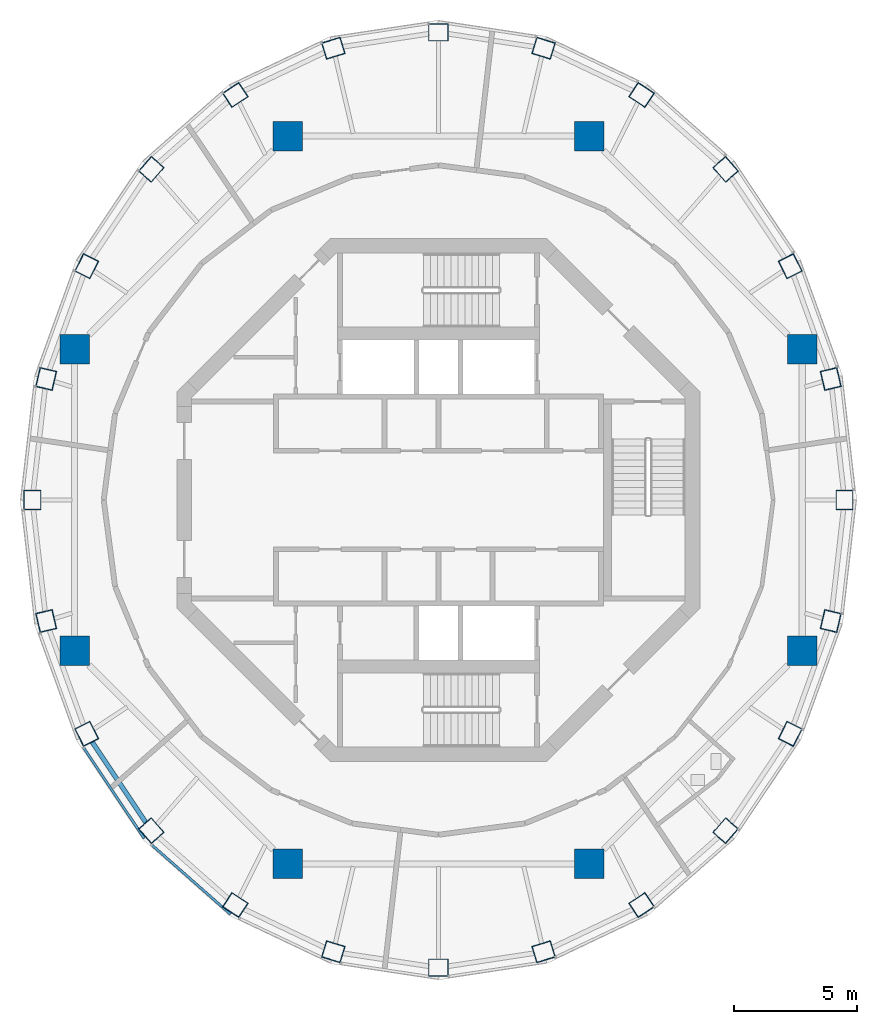
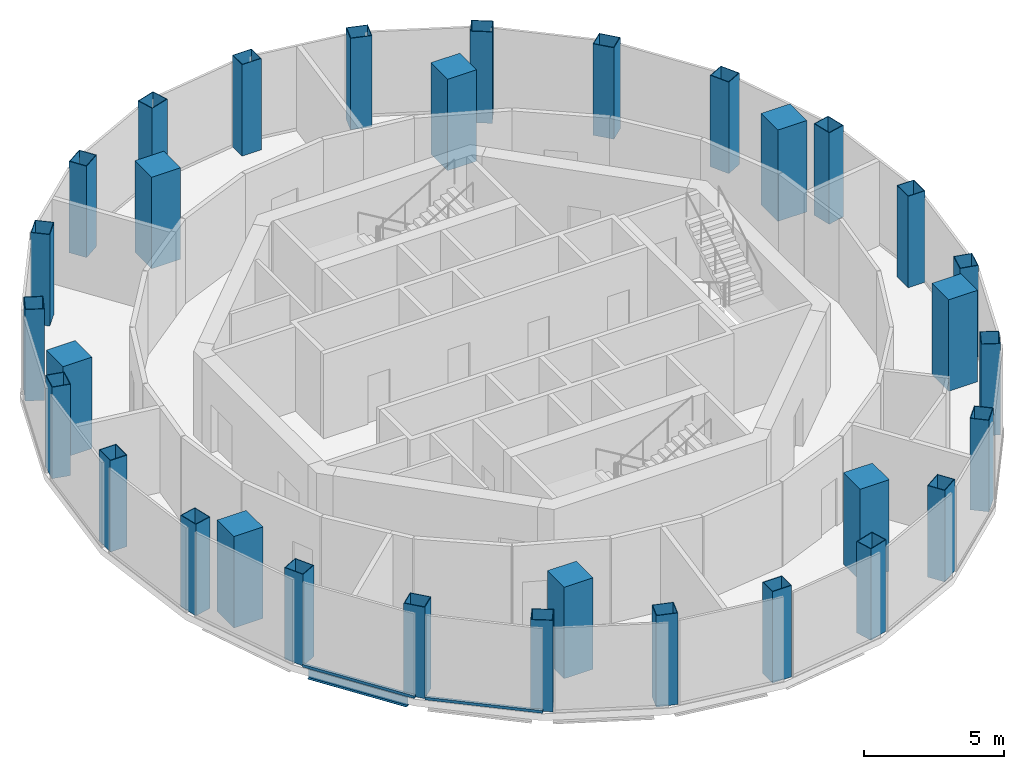
# One storey, part 1 of 12: 32 columns, 2 members, 1 beam, 2 elements without a shape of their own.
"""IFC4 building model written with IfcOpenShell, lengths in metres."""

from ifc_helpers import new_model, si_unit, direction, frame, origin, origin_2d, place, context, subcontext, project, spatial, rectangle, hollow_rectangle, i_section, extrude, material, layer, layer_set, material_profile, profile_set, type_object, element, aggregate, save


model = new_model("IFC4")

# Units and contexts
model_context = context("Model", 3, precision=1e-05, world=origin(), true_north=direction((0.0, 1.0)))
body_context = subcontext(model_context, "Body", "Model", "MODEL_VIEW")
ifc_project = project(units=[si_unit("LENGTHUNIT", "METRE"), si_unit("AREAUNIT", "SQUARE_METRE"), si_unit("VOLUMEUNIT", "CUBIC_METRE"), si_unit("PLANEANGLEUNIT", "RADIAN"), si_unit("MASSUNIT", "GRAM", prefix="KILO")], contexts=[model_context])

# Site, building, storey
site_placement = place(None, origin())
site = spatial("IfcSite", under=ifc_project, at=site_placement, CompositionType="ELEMENT")
building_placement = place(site_placement, origin())
building = spatial("IfcBuilding", under=site, at=building_placement, Name="Nagisa Residences", CompositionType="ELEMENT")
storey_placement = place(building_placement, frame((0.0, 0.0, 328.89990234375)))
storey = spatial("IfcBuildingStorey", under=building, at=storey_placement, Name="L81", CompositionType="ELEMENT", Elevation=328.89990234375)

# Columns
ifc_material_1 = material(Name="Concrete C80", Category="concrete")
ifc_material_profile_1 = material_profile(ifc_material_1, rectangle(XDim=1.199951171875, YDim=1.199951171875, at=origin_2d()), Name="C80 1200x1200")
ifc_profile_set_1 = profile_set([ifc_material_profile_1], Name="Concrete C80")
column_type_1 = type_object("IfcColumnType", Name="Inner megacolumn C80 1200x1200", PredefinedType="COLUMN", material=ifc_profile_set_1)
for number, where, z_axis, x_axis, name in (
    (1, (14.781982421875, 6.123046875, 0.0), (0.0, 0.0, 1.0), (1.0, 0.0, 0.0), "col:L81:i1"),
    (2, (6.123046875, 14.781982421875, 0.0), (0.0, 0.0, 1.0), (1.0, 0.0, 0.0), "col:L81:i2"),
    (3, (-6.123046875, 14.781982421875, 0.0), (0.0, 0.0, 1.0), (1.0, 0.0, 0.0), "col:L81:i3"),
    (4, (-14.781982421875, 6.123046875, 0.0), (0.0, 0.0, 1.0), (1.0, 0.0, 0.0), "col:L81:i4"),
    (5, (-14.781982421875, -6.123046875, 0.0), (0.0, 0.0, 1.0), (1.0, 0.0, 0.0), "col:L81:i5"),
    (6, (-6.123046875, -14.781982421875, 0.0), (0.0, 0.0, 1.0), (1.0, 0.0, 0.0), "col:L81:i6"),
    (7, (6.123046875, -14.781982421875, 0.0), (0.0, 0.0, 1.0), (1.0, 0.0, 0.0), "col:L81:i7"),
    (8, (14.781982421875, -6.123046875, 0.0), (0.0, 0.0, 1.0), (1.0, 0.0, 0.0), "col:L81:i8"),
):
    element("IfcColumn", number, at=place(storey_placement, frame(where, z_axis=z_axis, x_axis=x_axis)), inside=storey, type_object=column_type_1, Name=name, PredefinedType="COLUMN", context=body_context, shape_type="SweptSolid", body=[
        extrude(rectangle(XDim=1.199951171875, YDim=1.199951171875, at=origin_2d()), origin(), (0.0, 0.0, 1.0), 4.0),
    ])
ifc_material_2 = material(Name="Steel ASTM A572 Gr 50", Category="steel")
ifc_material_profile_2 = material_profile(ifc_material_2, hollow_rectangle(XDim=0.800048828125, YDim=0.699951171875, WallThickness=0.02490234375, at=origin_2d()), Name="BX 800x700x25")
ifc_profile_set_2 = profile_set([ifc_material_profile_2], Name="Steel ASTM A572 Gr 50")
column_type_2 = type_object("IfcColumnType", Name="Perimeter column BX 800x700x25", PredefinedType="COLUMN", material=ifc_profile_set_2)
for number, where, z_axis, x_axis, name in (
    (9, (16.5, 0.0, 0.0), (0.0, 0.0, 1.0), (0.0, 1.0, 0.0), "col:L81:p00"),
    (10, (15.937744140625, 4.91748046875, 0.0), (0.0, 0.0, 1.0), (-0.227472858308, 0.973784421077, 0.0), "col:L81:p01"),
    (11, (14.289306640625, 9.5, 0.0), (0.0, 0.0, 1.0), (-0.449592304298, 0.893233877502, 0.0), "col:L81:p02"),
    (12, (11.667236328125, 13.43505859375, 0.0), (0.0, 0.0, 1.0), (-0.657135200433, 0.753772729907, 0.0), "col:L81:p03"),
    (13, (8.25, 16.45458984375, 0.0), (0.0, 0.0, 1.0), (-0.833744136063, 0.552150989839, 0.0), "col:L81:p04"),
    (14, (4.2705078125, 18.3525390625, 0.0), (0.0, 0.0, 1.0), (-0.955869996667, 0.293789975104, 0.0), "col:L81:p05"),
    (15, (0.0, 19.0, 0.0), (0.0, 0.0, 1.0), (-1.0, 0.0, 0.0), "col:L81:p06"),
    (16, (-4.2705078125, 18.3525390625, 0.0), (0.0, 0.0, 1.0), (-0.955869996667, -0.293789975104, 0.0), "col:L81:p07"),
    (17, (-8.25, 16.45458984375, 0.0), (0.0, 0.0, 1.0), (-0.833744136063, -0.552150989839, 0.0), "col:L81:p08"),
    (18, (-11.667236328125, 13.43505859375, 0.0), (0.0, 0.0, 1.0), (-0.657135200433, -0.753772729907, 0.0), "col:L81:p09"),
    (19, (-14.289306640625, 9.5, 0.0), (0.0, 0.0, 1.0), (-0.449592304298, -0.893233877502, 0.0), "col:L81:p10"),
    (20, (-15.937744140625, 4.91748046875, 0.0), (0.0, 0.0, 1.0), (-0.227472858308, -0.973784421077, 0.0), "col:L81:p11"),
    (21, (-16.5, 0.0, 0.0), (0.0, 0.0, 1.0), (0.0, -1.0, 0.0), "col:L81:p12"),
    (22, (-15.937744140625, -4.91748046875, 0.0), (0.0, 0.0, 1.0), (0.227472858308, -0.973784421077, 0.0), "col:L81:p13"),
    (23, (-14.289306640625, -9.5, 0.0), (0.0, 0.0, 1.0), (0.449592304298, -0.893233877502, 0.0), "col:L81:p14"),
    (24, (-11.667236328125, -13.43505859375, 0.0), (0.0, 0.0, 1.0), (0.657135200433, -0.753772729907, 0.0), "col:L81:p15"),
    (25, (-8.25, -16.45458984375, 0.0), (0.0, 0.0, 1.0), (0.833744136063, -0.552150989839, 0.0), "col:L81:p16"),
    (26, (-4.2705078125, -18.3525390625, 0.0), (0.0, 0.0, 1.0), (0.955869996667, -0.293789975104, 0.0), "col:L81:p17"),
    (27, (0.0, -19.0, 0.0), (0.0, 0.0, 1.0), (1.0, 0.0, 0.0), "col:L81:p18"),
    (28, (4.2705078125, -18.3525390625, 0.0), (0.0, 0.0, 1.0), (0.955869996667, 0.293789975104, 0.0), "col:L81:p19"),
    (29, (8.25, -16.45458984375, 0.0), (0.0, 0.0, 1.0), (0.833744136063, 0.552150989839, 0.0), "col:L81:p20"),
    (30, (11.667236328125, -13.43505859375, 0.0), (0.0, 0.0, 1.0), (0.657135200433, 0.753772729907, 0.0), "col:L81:p21"),
    (31, (14.289306640625, -9.5, 0.0), (0.0, 0.0, 1.0), (0.449592304298, 0.893233877502, 0.0), "col:L81:p22"),
    (32, (15.937744140625, -4.91748046875, 0.0), (0.0, 0.0, 1.0), (0.227472858308, 0.973784421077, 0.0), "col:L81:p23"),
):
    element("IfcColumn", number, at=place(storey_placement, frame(where, z_axis=z_axis, x_axis=x_axis)), inside=storey, type_object=column_type_2, Name=name, PredefinedType="COLUMN", context=body_context, shape_type="SweptSolid", body=[
        extrude(hollow_rectangle(XDim=0.800048828125, YDim=0.699951171875, WallThickness=0.02490234375, at=origin_2d()), origin(), (0.0, 0.0, 1.0), 4.0),
    ])

# Curtain wall, member
ifc_material_3 = material(Name="Aluminium curtain wall system", Category="aluminium")
ifc_layer = layer(ifc_material_3, 0.159912109375)
ifc_layer_set = layer_set([ifc_layer], Name="CW5 CURTAIN WALL")
curtain_wall_type = type_object("IfcCurtainWallType", Name="CW5 CURTAIN WALL", PredefinedType="NOTDEFINED", material=ifc_layer_set)
curtain_wall_1_placement = place(storey_placement, origin())
curtain_wall_1 = element("IfcCurtainWall", 33, at=curtain_wall_1_placement, inside=storey, type_object=curtain_wall_type, Name="cw:CW5:L81:14", PredefinedType="NOTDEFINED")
ifc_material_4 = material(Name="Aluminium", Category="aluminium")
ifc_material_profile_3 = material_profile(ifc_material_4, rectangle(XDim=0.10009765625, YDim=0.1201171875, at=origin_2d()), Name="CW5 TRANSOM 100x120")
ifc_profile_set_3 = profile_set([ifc_material_profile_3], Name="Aluminium")
member_type = type_object("IfcMemberType", Name="CW5 TRANSOM 100x120", PredefinedType="USERDEFINED", material=ifc_profile_set_3)
member_1_placement = place(storey_placement, frame((-14.43359375, -10.0380859375, 0.06005859375), z_axis=(0.556026221044, -0.831164749921, 0.0), x_axis=(0.831164749921, 0.556026221044, 0.0)))
member_1 = element("IfcMember", 34, at=member_1_placement, type_object=member_type, Name="CW5 transom", ObjectType="TRANSOM", PredefinedType="USERDEFINED", context=body_context, shape_type="SweptSolid", body=[
    extrude(rectangle(XDim=0.10009765625, YDim=0.1201171875, at=origin_2d()), origin(), (0.0, 0.0, 1.0), 4.458984375),
])
aggregate(curtain_wall_1, [member_1])

curtain_wall_2_placement = place(storey_placement, origin())
curtain_wall_2 = element("IfcCurtainWall", 35, at=curtain_wall_2_placement, inside=storey, type_object=curtain_wall_type, Name="cw:CW5:L81:15", PredefinedType="NOTDEFINED")
member_2_placement = place(storey_placement, frame((-11.667724609375, -13.992919921875, 0.06005859375), z_axis=(0.750659327094, -0.660689469151, 0.0), x_axis=(0.660689469151, 0.750659327094, 0.0)))
member_2 = element("IfcMember", 36, at=member_2_placement, type_object=member_type, Name="CW5 transom", ObjectType="TRANSOM", PredefinedType="USERDEFINED", context=body_context, shape_type="SweptSolid", body=[
    extrude(rectangle(XDim=0.10009765625, YDim=0.1201171875, at=origin_2d()), origin(), (0.0, 0.0, 1.0), 4.290283203125),
])
aggregate(curtain_wall_2, [member_2])

# Beam
ifc_material_5 = material(Name="Steel ASTM A572 Gr 50", Category="steel")
ifc_material_profile_4 = material_profile(ifc_material_5, i_section(OverallWidth=0.18994140625, OverallDepth=0.45703125, WebThickness=0.009033203125, FlangeThickness=0.014404296875, at=origin_2d()), Name="W460x74")
ifc_profile_set_4 = profile_set([ifc_material_profile_4], Name="Steel ASTM A572 Gr 50")
beam_type = type_object("IfcBeamType", Name="Perimeter ring beam W460x74", PredefinedType="BEAM", material=ifc_profile_set_4)
beam_placement = place(storey_placement, frame((-14.0771484375, -9.818603515625, -0.5283203125), z_axis=(0.554529560082, -0.832164026497, 0.0), x_axis=(0.832164026497, 0.554529560082, 0.0)))
element("IfcBeam", 37, at=beam_placement, inside=storey, type_object=beam_type, Name="beam:L81:pb15", PredefinedType="BEAM", context=body_context, shape_type="SweptSolid", body=[
    extrude(i_section(OverallWidth=0.18994140625, OverallDepth=0.45703125, WebThickness=0.009033203125, FlangeThickness=0.014404296875, at=origin_2d()), origin(), (0.0, 0.0, 1.0), 3.96240234375),
])

save(model, "model.ifc")
